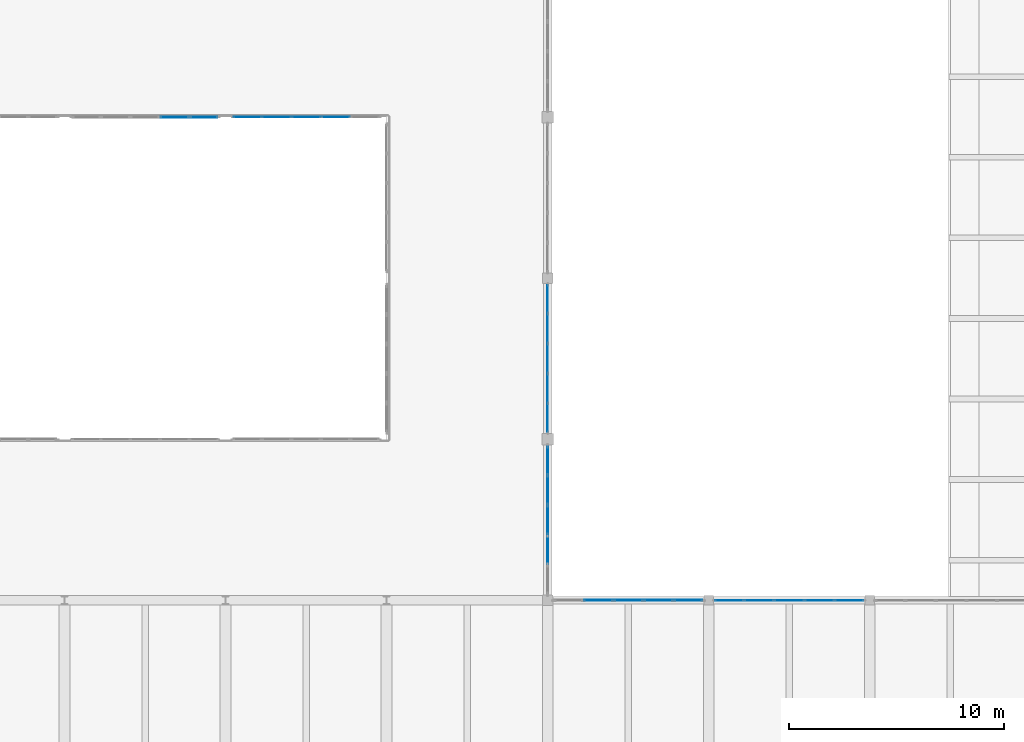
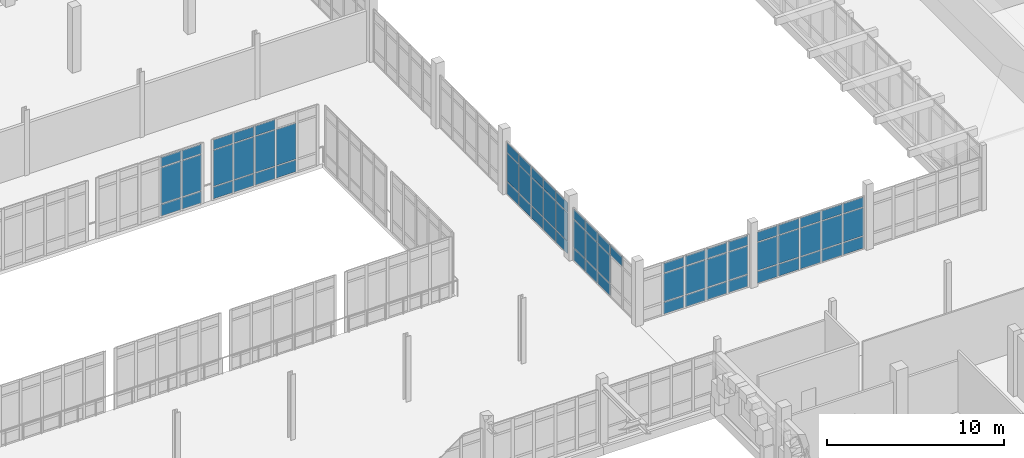
# One storey, part 80 of 128: 69 plates, 6 elements without a shape of their own.
"""IFC4 building model written with IfcOpenShell, lengths in metres."""

from ifc_helpers import new_model, si_unit, direction, frame, origin, origin_2d, place, context, subcontext, project, spatial, rectangle, extrude, material, layer, layer_set, type_object, element, aggregate, save


model = new_model("IFC4")

# Units and contexts
model_context = context("Model", 3, precision=1e-05, world=origin(), true_north=direction((0.0, 1.0)))
body_context = subcontext(model_context, "Body", "Model", "MODEL_VIEW")
ifc_project = project(units=[si_unit("LENGTHUNIT", "METRE"), si_unit("AREAUNIT", "SQUARE_METRE"), si_unit("VOLUMEUNIT", "CUBIC_METRE"), si_unit("PLANEANGLEUNIT", "RADIAN"), si_unit("MASSUNIT", "GRAM", prefix="KILO")], contexts=[model_context])

# Site, building, storey
site_placement = place(None, origin())
site = spatial("IfcSite", under=ifc_project, at=site_placement, CompositionType="ELEMENT")
building_placement = place(site_placement, origin())
building = spatial("IfcBuilding", under=site, at=building_placement, Name="Dalvernix Boulevard General Hospital", CompositionType="ELEMENT")
storey_placement = place(building_placement, frame((0.0, 0.0, 4.800048828125)))
storey = spatial("IfcBuildingStorey", under=building, at=storey_placement, Name="L01", CompositionType="ELEMENT", Elevation=4.800048828125)

# Curtain wall, plates
ifc_material_1 = material(Name="Thermally broken aluminium and solar-control glass curtain wall", Category="aluminium")
ifc_layer_1 = layer(ifc_material_1, 0.159912109375)
ifc_layer_set_1 = layer_set([ifc_layer_1], Name="Thermally broken aluminium and solar-control glass curtain wall (CW-CW-A-69x42)")
curtain_wall_type_1 = type_object("IfcCurtainWallType", Name="CW-CW-A-69x42", PredefinedType="USERDEFINED", material=ifc_layer_set_1)
curtain_wall_1_placement = place(storey_placement, origin())
curtain_wall_1 = element("IfcCurtainWall", 1, at=curtain_wall_1_placement, inside=storey, type_object=curtain_wall_type_1, Name="L01 curtain wall CW-A-69x42 13-7", ObjectType="GLAZED FACADE", PredefinedType="USERDEFINED")
ifc_material_2 = material(Name="Double-glazed solar-control low-emissivity glass", Category="glass")
ifc_layer_2 = layer(ifc_material_2, 0.02392578125)
ifc_layer_set_2 = layer_set([ifc_layer_2], Name="Double-glazed solar-control low-emissivity glass (PLT-CW-P1)")
plate_type_1 = type_object("IfcPlateType", Name="PLT-CW-P1", PredefinedType="CURTAIN_PANEL", material=ifc_layer_set_2)
plate_1_placement = place(storey_placement, frame((102.6259765625, 54.0, 0.059814453125), z_axis=(0.0, 0.0, 1.0), x_axis=(-1.0, 0.0, 0.0)))
plate_1 = element("IfcPlate", 2, at=plate_1_placement, type_object=plate_type_1, Name="CW-A-69x42 panel 2.1", PredefinedType="CURTAIN_PANEL", context=body_context, shape_type="SweptSolid", body=[
    extrude(rectangle(XDim=1.31591796875, YDim=0.02392578125, at=origin_2d()), origin(), (0.0, 0.0, 1.0), 0.81005859375),
])
plate_2_placement = place(storey_placement, frame((102.6259765625, 54.0, 0.93017578125), z_axis=(0.0, 0.0, 1.0), x_axis=(-1.0, 0.0, 0.0)))
plate_2 = element("IfcPlate", 3, at=plate_2_placement, type_object=plate_type_1, Name="CW-A-69x42 panel 2.2", PredefinedType="CURTAIN_PANEL", context=body_context, shape_type="SweptSolid", body=[
    extrude(rectangle(XDim=1.31591796875, YDim=0.02392578125, at=origin_2d()), origin(), (0.0, 0.0, 1.0), 2.469970703125),
])
plate_3_placement = place(storey_placement, frame((101.25, 54.0, 0.059814453125), z_axis=(0.0, 0.0, 1.0), x_axis=(-1.0, 0.0, 0.0)))
plate_3 = element("IfcPlate", 4, at=plate_3_placement, type_object=plate_type_1, Name="CW-A-69x42 panel 3.1", PredefinedType="CURTAIN_PANEL", context=body_context, shape_type="SweptSolid", body=[
    extrude(rectangle(XDim=1.31591796875, YDim=0.02392578125, at=origin_2d()), origin(), (0.0, 0.0, 1.0), 0.81005859375),
])
plate_4_placement = place(storey_placement, frame((101.25, 54.0, 0.93017578125), z_axis=(0.0, 0.0, 1.0), x_axis=(-1.0, 0.0, 0.0)))
plate_4 = element("IfcPlate", 5, at=plate_4_placement, type_object=plate_type_1, Name="CW-A-69x42 panel 3.2", PredefinedType="CURTAIN_PANEL", context=body_context, shape_type="SweptSolid", body=[
    extrude(rectangle(XDim=1.31591796875, YDim=0.02392578125, at=origin_2d()), origin(), (0.0, 0.0, 1.0), 2.469970703125),
])
plate_5_placement = place(storey_placement, frame((101.25, 54.0, 3.4599609375), z_axis=(0.0, 0.0, 1.0), x_axis=(-1.0, 0.0, 0.0)))
plate_5 = element("IfcPlate", 6, at=plate_5_placement, type_object=plate_type_1, Name="CW-A-69x42 panel 3.3", PredefinedType="CURTAIN_PANEL", context=body_context, shape_type="SweptSolid", body=[
    extrude(rectangle(XDim=1.31591796875, YDim=0.02392578125, at=origin_2d()), origin(), (0.0, 0.0, 1.0), 0.659912109375),
])
plate_6_placement = place(storey_placement, frame((99.8740234375, 54.0, 0.059814453125), z_axis=(0.0, 0.0, 1.0), x_axis=(-1.0, 0.0, 0.0)))
plate_6 = element("IfcPlate", 7, at=plate_6_placement, type_object=plate_type_1, Name="CW-A-69x42 panel 4.1", PredefinedType="CURTAIN_PANEL", context=body_context, shape_type="SweptSolid", body=[
    extrude(rectangle(XDim=1.31591796875, YDim=0.02392578125, at=origin_2d()), origin(), (0.0, 0.0, 1.0), 0.81005859375),
])
plate_7_placement = place(storey_placement, frame((99.8740234375, 54.0, 0.93017578125), z_axis=(0.0, 0.0, 1.0), x_axis=(-1.0, 0.0, 0.0)))
plate_7 = element("IfcPlate", 8, at=plate_7_placement, type_object=plate_type_1, Name="CW-A-69x42 panel 4.2", PredefinedType="CURTAIN_PANEL", context=body_context, shape_type="SweptSolid", body=[
    extrude(rectangle(XDim=1.31591796875, YDim=0.02392578125, at=origin_2d()), origin(), (0.0, 0.0, 1.0), 2.469970703125),
])
plate_8_placement = place(storey_placement, frame((99.8740234375, 54.0, 3.4599609375), z_axis=(0.0, 0.0, 1.0), x_axis=(-1.0, 0.0, 0.0)))
plate_8 = element("IfcPlate", 9, at=plate_8_placement, type_object=plate_type_1, Name="CW-A-69x42 panel 4.3", PredefinedType="CURTAIN_PANEL", context=body_context, shape_type="SweptSolid", body=[
    extrude(rectangle(XDim=1.31591796875, YDim=0.02392578125, at=origin_2d()), origin(), (0.0, 0.0, 1.0), 0.659912109375),
])
plate_9_placement = place(storey_placement, frame((98.512939453125, 54.0, 0.059814453125), z_axis=(0.0, 0.0, 1.0), x_axis=(-1.0, 0.0, 0.0)))
plate_9 = element("IfcPlate", 10, at=plate_9_placement, type_object=plate_type_1, Name="CW-A-69x42 panel 5.1", PredefinedType="CURTAIN_PANEL", context=body_context, shape_type="SweptSolid", body=[
    extrude(rectangle(XDim=1.285888671875, YDim=0.02392578125, at=origin_2d()), origin(), (0.0, 0.0, 1.0), 0.81005859375),
])
plate_10_placement = place(storey_placement, frame((98.512939453125, 54.0, 0.93017578125), z_axis=(0.0, 0.0, 1.0), x_axis=(-1.0, 0.0, 0.0)))
plate_10 = element("IfcPlate", 11, at=plate_10_placement, type_object=plate_type_1, Name="CW-A-69x42 panel 5.2", PredefinedType="CURTAIN_PANEL", context=body_context, shape_type="SweptSolid", body=[
    extrude(rectangle(XDim=1.285888671875, YDim=0.02392578125, at=origin_2d()), origin(), (0.0, 0.0, 1.0), 2.469970703125),
])
plate_11_placement = place(storey_placement, frame((98.512939453125, 54.0, 3.4599609375), z_axis=(0.0, 0.0, 1.0), x_axis=(-1.0, 0.0, 0.0)))
plate_11 = element("IfcPlate", 12, at=plate_11_placement, type_object=plate_type_1, Name="CW-A-69x42 panel 5.3", PredefinedType="CURTAIN_PANEL", context=body_context, shape_type="SweptSolid", body=[
    extrude(rectangle(XDim=1.285888671875, YDim=0.02392578125, at=origin_2d()), origin(), (0.0, 0.0, 1.0), 0.659912109375),
])
aggregate(curtain_wall_1, [plate_1, plate_2, plate_3, plate_4, plate_5, plate_6, plate_7, plate_8, plate_9, plate_10, plate_11])

ifc_layer_3 = layer(ifc_material_1, 0.159912109375)
ifc_layer_set_3 = layer_set([ifc_layer_3], Name="Thermally broken aluminium and solar-control glass curtain wall (CW-CW-A-70x36)")
curtain_wall_type_2 = type_object("IfcCurtainWallType", Name="CW-CW-A-70x36", PredefinedType="USERDEFINED", material=ifc_layer_set_3)
curtain_wall_2_placement = place(storey_placement, origin())
curtain_wall_2 = element("IfcCurtainWall", 13, at=curtain_wall_2_placement, inside=storey, type_object=curtain_wall_type_2, Name="L01 curtain wall CW-A-70x36 15-5", ObjectType="GLAZED FACADE", PredefinedType="USERDEFINED")
plate_12_placement = place(storey_placement, frame((112.5, 45.529541015625, 0.059814453125), z_axis=(0.0, 0.0, 1.0), x_axis=(0.0, -1.0, 0.0)))
plate_12 = element("IfcPlate", 14, at=plate_12_placement, type_object=plate_type_1, Name="CW-A-70x36 panel 1.1", PredefinedType="CURTAIN_PANEL", context=body_context, shape_type="SweptSolid", body=[
    extrude(rectangle(XDim=1.301025390625, YDim=0.02392578125, at=origin_2d()), origin(), (0.0, 0.0, 1.0), 0.81005859375),
])
plate_13_placement = place(storey_placement, frame((112.5, 45.529541015625, 0.929931640625), z_axis=(0.0, 0.0, 1.0), x_axis=(0.0, -1.0, 0.0)))
plate_13 = element("IfcPlate", 15, at=plate_13_placement, type_object=plate_type_1, Name="CW-A-70x36 panel 1.2", PredefinedType="CURTAIN_PANEL", context=body_context, shape_type="SweptSolid", body=[
    extrude(rectangle(XDim=1.301025390625, YDim=0.02392578125, at=origin_2d()), origin(), (0.0, 0.0, 1.0), 1.919921875),
])
plate_14_placement = place(storey_placement, frame((112.5, 45.529541015625, 2.91015625), z_axis=(0.0, 0.0, 1.0), x_axis=(0.0, -1.0, 0.0)))
plate_14 = element("IfcPlate", 16, at=plate_14_placement, type_object=plate_type_1, Name="CW-A-70x36 panel 1.3", PredefinedType="CURTAIN_PANEL", context=body_context, shape_type="SweptSolid", body=[
    extrude(rectangle(XDim=1.301025390625, YDim=0.02392578125, at=origin_2d()), origin(), (0.0, 0.0, 1.0), 0.659912109375),
])
plate_15_placement = place(storey_placement, frame((112.5, 44.153564453125, 0.059814453125), z_axis=(0.0, 0.0, 1.0), x_axis=(0.0, -1.0, 0.0)))
plate_15 = element("IfcPlate", 17, at=plate_15_placement, type_object=plate_type_1, Name="CW-A-70x36 panel 2.1", PredefinedType="CURTAIN_PANEL", context=body_context, shape_type="SweptSolid", body=[
    extrude(rectangle(XDim=1.3310546875, YDim=0.02392578125, at=origin_2d()), origin(), (0.0, 0.0, 1.0), 0.81005859375),
])
plate_16_placement = place(storey_placement, frame((112.5, 44.153564453125, 0.929931640625), z_axis=(0.0, 0.0, 1.0), x_axis=(0.0, -1.0, 0.0)))
plate_16 = element("IfcPlate", 18, at=plate_16_placement, type_object=plate_type_1, Name="CW-A-70x36 panel 2.2", PredefinedType="CURTAIN_PANEL", context=body_context, shape_type="SweptSolid", body=[
    extrude(rectangle(XDim=1.3310546875, YDim=0.02392578125, at=origin_2d()), origin(), (0.0, 0.0, 1.0), 1.919921875),
])
plate_17_placement = place(storey_placement, frame((112.5, 44.153564453125, 2.91015625), z_axis=(0.0, 0.0, 1.0), x_axis=(0.0, -1.0, 0.0)))
plate_17 = element("IfcPlate", 19, at=plate_17_placement, type_object=plate_type_1, Name="CW-A-70x36 panel 2.3", PredefinedType="CURTAIN_PANEL", context=body_context, shape_type="SweptSolid", body=[
    extrude(rectangle(XDim=1.3310546875, YDim=0.02392578125, at=origin_2d()), origin(), (0.0, 0.0, 1.0), 0.659912109375),
])
plate_18_placement = place(storey_placement, frame((112.5, 42.762451171875, 0.059814453125), z_axis=(0.0, 0.0, 1.0), x_axis=(0.0, -1.0, 0.0)))
plate_18 = element("IfcPlate", 20, at=plate_18_placement, type_object=plate_type_1, Name="CW-A-70x36 panel 3.1", PredefinedType="CURTAIN_PANEL", context=body_context, shape_type="SweptSolid", body=[
    extrude(rectangle(XDim=1.3310546875, YDim=0.02392578125, at=origin_2d()), origin(), (0.0, 0.0, 1.0), 0.81005859375),
])
plate_19_placement = place(storey_placement, frame((112.5, 42.762451171875, 0.929931640625), z_axis=(0.0, 0.0, 1.0), x_axis=(0.0, -1.0, 0.0)))
plate_19 = element("IfcPlate", 21, at=plate_19_placement, type_object=plate_type_1, Name="CW-A-70x36 panel 3.2", PredefinedType="CURTAIN_PANEL", context=body_context, shape_type="SweptSolid", body=[
    extrude(rectangle(XDim=1.3310546875, YDim=0.02392578125, at=origin_2d()), origin(), (0.0, 0.0, 1.0), 1.919921875),
])
plate_20_placement = place(storey_placement, frame((112.5, 42.762451171875, 2.91015625), z_axis=(0.0, 0.0, 1.0), x_axis=(0.0, -1.0, 0.0)))
plate_20 = element("IfcPlate", 22, at=plate_20_placement, type_object=plate_type_1, Name="CW-A-70x36 panel 3.3", PredefinedType="CURTAIN_PANEL", context=body_context, shape_type="SweptSolid", body=[
    extrude(rectangle(XDim=1.3310546875, YDim=0.02392578125, at=origin_2d()), origin(), (0.0, 0.0, 1.0), 0.659912109375),
])
plate_21_placement = place(storey_placement, frame((112.5, 41.37158203125, 0.059814453125), z_axis=(0.0, 0.0, 1.0), x_axis=(0.0, -1.0, 0.0)))
plate_21 = element("IfcPlate", 23, at=plate_21_placement, type_object=plate_type_1, Name="CW-A-70x36 panel 4.1", PredefinedType="CURTAIN_PANEL", context=body_context, shape_type="SweptSolid", body=[
    extrude(rectangle(XDim=1.3310546875, YDim=0.02392578125, at=origin_2d()), origin(), (0.0, 0.0, 1.0), 0.81005859375),
])
plate_22_placement = place(storey_placement, frame((112.5, 41.37158203125, 0.929931640625), z_axis=(0.0, 0.0, 1.0), x_axis=(0.0, -1.0, 0.0)))
plate_22 = element("IfcPlate", 24, at=plate_22_placement, type_object=plate_type_1, Name="CW-A-70x36 panel 4.2", PredefinedType="CURTAIN_PANEL", context=body_context, shape_type="SweptSolid", body=[
    extrude(rectangle(XDim=1.3310546875, YDim=0.02392578125, at=origin_2d()), origin(), (0.0, 0.0, 1.0), 1.919921875),
])
plate_23_placement = place(storey_placement, frame((112.5, 41.37158203125, 2.91015625), z_axis=(0.0, 0.0, 1.0), x_axis=(0.0, -1.0, 0.0)))
plate_23 = element("IfcPlate", 25, at=plate_23_placement, type_object=plate_type_1, Name="CW-A-70x36 panel 4.3", PredefinedType="CURTAIN_PANEL", context=body_context, shape_type="SweptSolid", body=[
    extrude(rectangle(XDim=1.3310546875, YDim=0.02392578125, at=origin_2d()), origin(), (0.0, 0.0, 1.0), 0.659912109375),
])
plate_24_placement = place(storey_placement, frame((112.5, 39.99560546875, 0.059814453125), z_axis=(0.0, 0.0, 1.0), x_axis=(0.0, -1.0, 0.0)))
plate_24 = element("IfcPlate", 26, at=plate_24_placement, type_object=plate_type_1, Name="CW-A-70x36 panel 5.1", PredefinedType="CURTAIN_PANEL", context=body_context, shape_type="SweptSolid", body=[
    extrude(rectangle(XDim=1.301025390625, YDim=0.02392578125, at=origin_2d()), origin(), (0.0, 0.0, 1.0), 0.81005859375),
])
plate_25_placement = place(storey_placement, frame((112.5, 39.99560546875, 0.929931640625), z_axis=(0.0, 0.0, 1.0), x_axis=(0.0, -1.0, 0.0)))
plate_25 = element("IfcPlate", 27, at=plate_25_placement, type_object=plate_type_1, Name="CW-A-70x36 panel 5.2", PredefinedType="CURTAIN_PANEL", context=body_context, shape_type="SweptSolid", body=[
    extrude(rectangle(XDim=1.301025390625, YDim=0.02392578125, at=origin_2d()), origin(), (0.0, 0.0, 1.0), 1.919921875),
])
plate_26_placement = place(storey_placement, frame((112.5, 39.99560546875, 2.91015625), z_axis=(0.0, 0.0, 1.0), x_axis=(0.0, -1.0, 0.0)))
plate_26 = element("IfcPlate", 28, at=plate_26_placement, type_object=plate_type_1, Name="CW-A-70x36 panel 5.3", PredefinedType="CURTAIN_PANEL", context=body_context, shape_type="SweptSolid", body=[
    extrude(rectangle(XDim=1.301025390625, YDim=0.02392578125, at=origin_2d()), origin(), (0.0, 0.0, 1.0), 0.659912109375),
])
aggregate(curtain_wall_2, [plate_12, plate_13, plate_14, plate_15, plate_16, plate_17, plate_18, plate_19, plate_20, plate_21, plate_22, plate_23, plate_24, plate_25, plate_26])

curtain_wall_3_placement = place(storey_placement, origin())
curtain_wall_3 = element("IfcCurtainWall", 29, at=curtain_wall_3_placement, inside=storey, type_object=curtain_wall_type_2, Name="L01 curtain wall CW-A-70x36 16-4", ObjectType="GLAZED FACADE", PredefinedType="USERDEFINED")
plate_27_placement = place(storey_placement, frame((120.952880859375, 31.5, 0.059814453125), z_axis=(0.0, 0.0, 1.0), x_axis=(1.0, 0.0, 0.0)))
plate_27 = element("IfcPlate", 30, at=plate_27_placement, type_object=plate_type_1, Name="CW-A-70x36 panel 1.1", PredefinedType="CURTAIN_PANEL", context=body_context, shape_type="SweptSolid", body=[
    extrude(rectangle(XDim=1.31591796875, YDim=0.02392578125, at=origin_2d()), origin(), (0.0, 0.0, 1.0), 0.81005859375),
])
plate_28_placement = place(storey_placement, frame((120.952880859375, 31.5, 0.929931640625), z_axis=(0.0, 0.0, 1.0), x_axis=(1.0, 0.0, 0.0)))
plate_28 = element("IfcPlate", 31, at=plate_28_placement, type_object=plate_type_1, Name="CW-A-70x36 panel 1.2", PredefinedType="CURTAIN_PANEL", context=body_context, shape_type="SweptSolid", body=[
    extrude(rectangle(XDim=1.31591796875, YDim=0.02392578125, at=origin_2d()), origin(), (0.0, 0.0, 1.0), 1.919921875),
])
plate_29_placement = place(storey_placement, frame((120.952880859375, 31.5, 2.91015625), z_axis=(0.0, 0.0, 1.0), x_axis=(1.0, 0.0, 0.0)))
plate_29 = element("IfcPlate", 32, at=plate_29_placement, type_object=plate_type_1, Name="CW-A-70x36 panel 1.3", PredefinedType="CURTAIN_PANEL", context=body_context, shape_type="SweptSolid", body=[
    extrude(rectangle(XDim=1.31591796875, YDim=0.02392578125, at=origin_2d()), origin(), (0.0, 0.0, 1.0), 0.659912109375),
])
plate_30_placement = place(storey_placement, frame((122.343994140625, 31.5, 0.059814453125), z_axis=(0.0, 0.0, 1.0), x_axis=(1.0, 0.0, 0.0)))
plate_30 = element("IfcPlate", 33, at=plate_30_placement, type_object=plate_type_1, Name="CW-A-70x36 panel 2.1", PredefinedType="CURTAIN_PANEL", context=body_context, shape_type="SweptSolid", body=[
    extrude(rectangle(XDim=1.345947265625, YDim=0.02392578125, at=origin_2d()), origin(), (0.0, 0.0, 1.0), 0.81005859375),
])
plate_31_placement = place(storey_placement, frame((122.343994140625, 31.5, 0.929931640625), z_axis=(0.0, 0.0, 1.0), x_axis=(1.0, 0.0, 0.0)))
plate_31 = element("IfcPlate", 34, at=plate_31_placement, type_object=plate_type_1, Name="CW-A-70x36 panel 2.2", PredefinedType="CURTAIN_PANEL", context=body_context, shape_type="SweptSolid", body=[
    extrude(rectangle(XDim=1.345947265625, YDim=0.02392578125, at=origin_2d()), origin(), (0.0, 0.0, 1.0), 1.919921875),
])
plate_32_placement = place(storey_placement, frame((122.343994140625, 31.5, 2.91015625), z_axis=(0.0, 0.0, 1.0), x_axis=(1.0, 0.0, 0.0)))
plate_32 = element("IfcPlate", 35, at=plate_32_placement, type_object=plate_type_1, Name="CW-A-70x36 panel 2.3", PredefinedType="CURTAIN_PANEL", context=body_context, shape_type="SweptSolid", body=[
    extrude(rectangle(XDim=1.345947265625, YDim=0.02392578125, at=origin_2d()), origin(), (0.0, 0.0, 1.0), 0.659912109375),
])
plate_33_placement = place(storey_placement, frame((123.75, 31.5, 0.059814453125), z_axis=(0.0, 0.0, 1.0), x_axis=(1.0, 0.0, 0.0)))
plate_33 = element("IfcPlate", 36, at=plate_33_placement, type_object=plate_type_1, Name="CW-A-70x36 panel 3.1", PredefinedType="CURTAIN_PANEL", context=body_context, shape_type="SweptSolid", body=[
    extrude(rectangle(XDim=1.345947265625, YDim=0.02392578125, at=origin_2d()), origin(), (0.0, 0.0, 1.0), 0.81005859375),
])
plate_34_placement = place(storey_placement, frame((123.75, 31.5, 0.929931640625), z_axis=(0.0, 0.0, 1.0), x_axis=(1.0, 0.0, 0.0)))
plate_34 = element("IfcPlate", 37, at=plate_34_placement, type_object=plate_type_1, Name="CW-A-70x36 panel 3.2", PredefinedType="CURTAIN_PANEL", context=body_context, shape_type="SweptSolid", body=[
    extrude(rectangle(XDim=1.345947265625, YDim=0.02392578125, at=origin_2d()), origin(), (0.0, 0.0, 1.0), 1.919921875),
])
plate_35_placement = place(storey_placement, frame((123.75, 31.5, 2.91015625), z_axis=(0.0, 0.0, 1.0), x_axis=(1.0, 0.0, 0.0)))
plate_35 = element("IfcPlate", 38, at=plate_35_placement, type_object=plate_type_1, Name="CW-A-70x36 panel 3.3", PredefinedType="CURTAIN_PANEL", context=body_context, shape_type="SweptSolid", body=[
    extrude(rectangle(XDim=1.345947265625, YDim=0.02392578125, at=origin_2d()), origin(), (0.0, 0.0, 1.0), 0.659912109375),
])
plate_36_placement = place(storey_placement, frame((125.156005859375, 31.5, 0.059814453125), z_axis=(0.0, 0.0, 1.0), x_axis=(1.0, 0.0, 0.0)))
plate_36 = element("IfcPlate", 39, at=plate_36_placement, type_object=plate_type_1, Name="CW-A-70x36 panel 4.1", PredefinedType="CURTAIN_PANEL", context=body_context, shape_type="SweptSolid", body=[
    extrude(rectangle(XDim=1.345947265625, YDim=0.02392578125, at=origin_2d()), origin(), (0.0, 0.0, 1.0), 0.81005859375),
])
plate_37_placement = place(storey_placement, frame((125.156005859375, 31.5, 0.929931640625), z_axis=(0.0, 0.0, 1.0), x_axis=(1.0, 0.0, 0.0)))
plate_37 = element("IfcPlate", 40, at=plate_37_placement, type_object=plate_type_1, Name="CW-A-70x36 panel 4.2", PredefinedType="CURTAIN_PANEL", context=body_context, shape_type="SweptSolid", body=[
    extrude(rectangle(XDim=1.345947265625, YDim=0.02392578125, at=origin_2d()), origin(), (0.0, 0.0, 1.0), 1.919921875),
])
plate_38_placement = place(storey_placement, frame((125.156005859375, 31.5, 2.91015625), z_axis=(0.0, 0.0, 1.0), x_axis=(1.0, 0.0, 0.0)))
plate_38 = element("IfcPlate", 41, at=plate_38_placement, type_object=plate_type_1, Name="CW-A-70x36 panel 4.3", PredefinedType="CURTAIN_PANEL", context=body_context, shape_type="SweptSolid", body=[
    extrude(rectangle(XDim=1.345947265625, YDim=0.02392578125, at=origin_2d()), origin(), (0.0, 0.0, 1.0), 0.659912109375),
])
plate_39_placement = place(storey_placement, frame((126.547119140625, 31.5, 0.059814453125), z_axis=(0.0, 0.0, 1.0), x_axis=(1.0, 0.0, 0.0)))
plate_39 = element("IfcPlate", 42, at=plate_39_placement, type_object=plate_type_1, Name="CW-A-70x36 panel 5.1", PredefinedType="CURTAIN_PANEL", context=body_context, shape_type="SweptSolid", body=[
    extrude(rectangle(XDim=1.31591796875, YDim=0.02392578125, at=origin_2d()), origin(), (0.0, 0.0, 1.0), 0.81005859375),
])
plate_40_placement = place(storey_placement, frame((126.547119140625, 31.5, 0.929931640625), z_axis=(0.0, 0.0, 1.0), x_axis=(1.0, 0.0, 0.0)))
plate_40 = element("IfcPlate", 43, at=plate_40_placement, type_object=plate_type_1, Name="CW-A-70x36 panel 5.2", PredefinedType="CURTAIN_PANEL", context=body_context, shape_type="SweptSolid", body=[
    extrude(rectangle(XDim=1.31591796875, YDim=0.02392578125, at=origin_2d()), origin(), (0.0, 0.0, 1.0), 1.919921875),
])
plate_41_placement = place(storey_placement, frame((126.547119140625, 31.5, 2.91015625), z_axis=(0.0, 0.0, 1.0), x_axis=(1.0, 0.0, 0.0)))
plate_41 = element("IfcPlate", 44, at=plate_41_placement, type_object=plate_type_1, Name="CW-A-70x36 panel 5.3", PredefinedType="CURTAIN_PANEL", context=body_context, shape_type="SweptSolid", body=[
    extrude(rectangle(XDim=1.31591796875, YDim=0.02392578125, at=origin_2d()), origin(), (0.0, 0.0, 1.0), 0.659912109375),
])
aggregate(curtain_wall_3, [plate_27, plate_28, plate_29, plate_30, plate_31, plate_32, plate_33, plate_34, plate_35, plate_36, plate_37, plate_38, plate_39, plate_40, plate_41])

ifc_layer_4 = layer(ifc_material_1, 0.199951171875)
ifc_layer_set_4 = layer_set([ifc_layer_4], Name="Thermally broken aluminium and solar-control glass curtain wall (CW-CW-C-69x42)")
curtain_wall_type_3 = type_object("IfcCurtainWallType", Name="CW-CW-C-69x42", PredefinedType="USERDEFINED", material=ifc_layer_set_4)
curtain_wall_4_placement = place(storey_placement, origin())
curtain_wall_4 = element("IfcCurtainWall", 45, at=curtain_wall_4_placement, inside=storey, type_object=curtain_wall_type_3, Name="L01 curtain wall CW-C-69x42 12-7", ObjectType="GLAZED FACADE", PredefinedType="USERDEFINED")
ifc_layer_5 = layer(ifc_material_2, 0.035888671875)
ifc_layer_set_5 = layer_set([ifc_layer_5], Name="Double-glazed solar-control low-emissivity glass (PLT-CW-P3)")
plate_type_2 = type_object("IfcPlateType", Name="PLT-CW-P3", PredefinedType="CURTAIN_PANEL", material=ifc_layer_set_5)
plate_42_placement = place(storey_placement, frame((96.484619140625, 54.0, 0.070068359375), z_axis=(0.0, 0.0, 1.0), x_axis=(-1.0, 0.0, 0.0)))
plate_42 = element("IfcPlate", 46, at=plate_42_placement, type_object=plate_type_2, Name="CW-C-69x42 panel 1.1", PredefinedType="CURTAIN_PANEL", context=body_context, shape_type="SweptSolid", body=[
    extrude(rectangle(XDim=1.27099609375, YDim=0.035888671875, at=origin_2d()), origin(), (0.0, 0.0, 1.0), 0.794921875),
])
plate_43_placement = place(storey_placement, frame((96.484619140625, 54.0, 0.93505859375), z_axis=(0.0, 0.0, 1.0), x_axis=(-1.0, 0.0, 0.0)))
plate_43 = element("IfcPlate", 47, at=plate_43_placement, type_object=plate_type_2, Name="CW-C-69x42 panel 1.2", PredefinedType="CURTAIN_PANEL", context=body_context, shape_type="SweptSolid", body=[
    extrude(rectangle(XDim=1.27099609375, YDim=0.035888671875, at=origin_2d()), origin(), (0.0, 0.0, 1.0), 2.4599609375),
])
plate_44_placement = place(storey_placement, frame((96.484619140625, 54.0, 3.46484375), z_axis=(0.0, 0.0, 1.0), x_axis=(-1.0, 0.0, 0.0)))
plate_44 = element("IfcPlate", 48, at=plate_44_placement, type_object=plate_type_2, Name="CW-C-69x42 panel 1.3", PredefinedType="CURTAIN_PANEL", context=body_context, shape_type="SweptSolid", body=[
    extrude(rectangle(XDim=1.27099609375, YDim=0.035888671875, at=origin_2d()), origin(), (0.0, 0.0, 1.0), 0.64501953125),
])
plate_45_placement = place(storey_placement, frame((95.1259765625, 54.0, 0.070068359375), z_axis=(0.0, 0.0, 1.0), x_axis=(-1.0, 0.0, 0.0)))
plate_45 = element("IfcPlate", 49, at=plate_45_placement, type_object=plate_type_2, Name="CW-C-69x42 panel 2.1", PredefinedType="CURTAIN_PANEL", context=body_context, shape_type="SweptSolid", body=[
    extrude(rectangle(XDim=1.305908203125, YDim=0.035888671875, at=origin_2d()), origin(), (0.0, 0.0, 1.0), 0.794921875),
])
plate_46_placement = place(storey_placement, frame((95.1259765625, 54.0, 0.93505859375), z_axis=(0.0, 0.0, 1.0), x_axis=(-1.0, 0.0, 0.0)))
plate_46 = element("IfcPlate", 50, at=plate_46_placement, type_object=plate_type_2, Name="CW-C-69x42 panel 2.2", PredefinedType="CURTAIN_PANEL", context=body_context, shape_type="SweptSolid", body=[
    extrude(rectangle(XDim=1.305908203125, YDim=0.035888671875, at=origin_2d()), origin(), (0.0, 0.0, 1.0), 2.4599609375),
])
plate_47_placement = place(storey_placement, frame((95.1259765625, 54.0, 3.46484375), z_axis=(0.0, 0.0, 1.0), x_axis=(-1.0, 0.0, 0.0)))
plate_47 = element("IfcPlate", 51, at=plate_47_placement, type_object=plate_type_2, Name="CW-C-69x42 panel 2.3", PredefinedType="CURTAIN_PANEL", context=body_context, shape_type="SweptSolid", body=[
    extrude(rectangle(XDim=1.305908203125, YDim=0.035888671875, at=origin_2d()), origin(), (0.0, 0.0, 1.0), 0.64501953125),
])
aggregate(curtain_wall_4, [plate_42, plate_43, plate_44, plate_45, plate_46, plate_47])

ifc_layer_6 = layer(ifc_material_1, 0.199951171875)
ifc_layer_set_6 = layer_set([ifc_layer_6], Name="Thermally broken aluminium and solar-control glass curtain wall (CW-CW-C-70x36)")
curtain_wall_type_4 = type_object("IfcCurtainWallType", Name="CW-CW-C-70x36", PredefinedType="USERDEFINED", material=ifc_layer_set_6)
curtain_wall_5_placement = place(storey_placement, origin())
curtain_wall_5 = element("IfcCurtainWall", 52, at=curtain_wall_5_placement, inside=storey, type_object=curtain_wall_type_4, Name="L01 curtain wall CW-C-70x36 15-4", ObjectType="GLAZED FACADE", PredefinedType="USERDEFINED")
plate_48_placement = place(storey_placement, frame((112.5, 38.001953125, 0.070068359375), z_axis=(0.0, 0.0, 1.0), x_axis=(0.0, -1.0, 0.0)))
plate_48 = element("IfcPlate", 53, at=plate_48_placement, type_object=plate_type_2, Name="CW-C-70x36 panel 1.1", PredefinedType="CURTAIN_PANEL", context=body_context, shape_type="SweptSolid", body=[
    extrude(rectangle(XDim=1.285888671875, YDim=0.035888671875, at=origin_2d()), origin(), (0.0, 0.0, 1.0), 0.794921875),
])
plate_49_placement = place(storey_placement, frame((112.5, 38.001953125, 0.93505859375), z_axis=(0.0, 0.0, 1.0), x_axis=(0.0, -1.0, 0.0)))
plate_49 = element("IfcPlate", 54, at=plate_49_placement, type_object=plate_type_2, Name="CW-C-70x36 panel 1.2", PredefinedType="CURTAIN_PANEL", context=body_context, shape_type="SweptSolid", body=[
    extrude(rectangle(XDim=1.285888671875, YDim=0.035888671875, at=origin_2d()), origin(), (0.0, 0.0, 1.0), 1.909912109375),
])
plate_50_placement = place(storey_placement, frame((112.5, 38.001953125, 2.9150390625), z_axis=(0.0, 0.0, 1.0), x_axis=(0.0, -1.0, 0.0)))
plate_50 = element("IfcPlate", 55, at=plate_50_placement, type_object=plate_type_2, Name="CW-C-70x36 panel 1.3", PredefinedType="CURTAIN_PANEL", context=body_context, shape_type="SweptSolid", body=[
    extrude(rectangle(XDim=1.285888671875, YDim=0.035888671875, at=origin_2d()), origin(), (0.0, 0.0, 1.0), 0.64501953125),
])
plate_51_placement = place(storey_placement, frame((112.5, 36.62841796875, 0.070068359375), z_axis=(0.0, 0.0, 1.0), x_axis=(0.0, -1.0, 0.0)))
plate_51 = element("IfcPlate", 56, at=plate_51_placement, type_object=plate_type_2, Name="CW-C-70x36 panel 2.1", PredefinedType="CURTAIN_PANEL", context=body_context, shape_type="SweptSolid", body=[
    extrude(rectangle(XDim=1.321044921875, YDim=0.035888671875, at=origin_2d()), origin(), (0.0, 0.0, 1.0), 0.794921875),
])
plate_52_placement = place(storey_placement, frame((112.5, 36.62841796875, 0.93505859375), z_axis=(0.0, 0.0, 1.0), x_axis=(0.0, -1.0, 0.0)))
plate_52 = element("IfcPlate", 57, at=plate_52_placement, type_object=plate_type_2, Name="CW-C-70x36 panel 2.2", PredefinedType="CURTAIN_PANEL", context=body_context, shape_type="SweptSolid", body=[
    extrude(rectangle(XDim=1.321044921875, YDim=0.035888671875, at=origin_2d()), origin(), (0.0, 0.0, 1.0), 1.909912109375),
])
plate_53_placement = place(storey_placement, frame((112.5, 36.62841796875, 2.9150390625), z_axis=(0.0, 0.0, 1.0), x_axis=(0.0, -1.0, 0.0)))
plate_53 = element("IfcPlate", 58, at=plate_53_placement, type_object=plate_type_2, Name="CW-C-70x36 panel 2.3", PredefinedType="CURTAIN_PANEL", context=body_context, shape_type="SweptSolid", body=[
    extrude(rectangle(XDim=1.321044921875, YDim=0.035888671875, at=origin_2d()), origin(), (0.0, 0.0, 1.0), 0.64501953125),
])
plate_54_placement = place(storey_placement, frame((112.5, 35.237548828125, 0.070068359375), z_axis=(0.0, 0.0, 1.0), x_axis=(0.0, -1.0, 0.0)))
plate_54 = element("IfcPlate", 59, at=plate_54_placement, type_object=plate_type_2, Name="CW-C-70x36 panel 3.1", PredefinedType="CURTAIN_PANEL", context=body_context, shape_type="SweptSolid", body=[
    extrude(rectangle(XDim=1.321044921875, YDim=0.035888671875, at=origin_2d()), origin(), (0.0, 0.0, 1.0), 0.794921875),
])
plate_55_placement = place(storey_placement, frame((112.5, 35.237548828125, 0.93505859375), z_axis=(0.0, 0.0, 1.0), x_axis=(0.0, -1.0, 0.0)))
plate_55 = element("IfcPlate", 60, at=plate_55_placement, type_object=plate_type_2, Name="CW-C-70x36 panel 3.2", PredefinedType="CURTAIN_PANEL", context=body_context, shape_type="SweptSolid", body=[
    extrude(rectangle(XDim=1.321044921875, YDim=0.035888671875, at=origin_2d()), origin(), (0.0, 0.0, 1.0), 1.909912109375),
])
plate_56_placement = place(storey_placement, frame((112.5, 35.237548828125, 2.9150390625), z_axis=(0.0, 0.0, 1.0), x_axis=(0.0, -1.0, 0.0)))
plate_56 = element("IfcPlate", 61, at=plate_56_placement, type_object=plate_type_2, Name="CW-C-70x36 panel 3.3", PredefinedType="CURTAIN_PANEL", context=body_context, shape_type="SweptSolid", body=[
    extrude(rectangle(XDim=1.321044921875, YDim=0.035888671875, at=origin_2d()), origin(), (0.0, 0.0, 1.0), 0.64501953125),
])
plate_57_placement = place(storey_placement, frame((112.5, 33.846435546875, 2.9150390625), z_axis=(0.0, 0.0, 1.0), x_axis=(0.0, -1.0, 0.0)))
plate_57 = element("IfcPlate", 62, at=plate_57_placement, type_object=plate_type_2, Name="CW-C-70x36 panel 4.3", PredefinedType="CURTAIN_PANEL", context=body_context, shape_type="SweptSolid", body=[
    extrude(rectangle(XDim=1.321044921875, YDim=0.035888671875, at=origin_2d()), origin(), (0.0, 0.0, 1.0), 0.64501953125),
])
aggregate(curtain_wall_5, [plate_48, plate_49, plate_50, plate_51, plate_52, plate_53, plate_54, plate_55, plate_56, plate_57])

curtain_wall_6_placement = place(storey_placement, origin())
curtain_wall_6 = element("IfcCurtainWall", 63, at=curtain_wall_6_placement, inside=storey, type_object=curtain_wall_type_4, Name="L01 curtain wall CW-C-70x36 15-4", ObjectType="GLAZED FACADE", PredefinedType="USERDEFINED")
plate_58_placement = place(storey_placement, frame((114.861572265625, 31.5, 0.070068359375), z_axis=(0.0, 0.0, 1.0), x_axis=(1.0, 0.0, 0.0)))
plate_58 = element("IfcPlate", 64, at=plate_58_placement, type_object=plate_type_2, Name="CW-C-70x36 panel 2.1", PredefinedType="CURTAIN_PANEL", context=body_context, shape_type="SweptSolid", body=[
    extrude(rectangle(XDim=1.3310546875, YDim=0.035888671875, at=origin_2d()), origin(), (0.0, 0.0, 1.0), 0.794921875),
])
plate_59_placement = place(storey_placement, frame((114.861572265625, 31.5, 0.93505859375), z_axis=(0.0, 0.0, 1.0), x_axis=(1.0, 0.0, 0.0)))
plate_59 = element("IfcPlate", 65, at=plate_59_placement, type_object=plate_type_2, Name="CW-C-70x36 panel 2.2", PredefinedType="CURTAIN_PANEL", context=body_context, shape_type="SweptSolid", body=[
    extrude(rectangle(XDim=1.3310546875, YDim=0.035888671875, at=origin_2d()), origin(), (0.0, 0.0, 1.0), 1.909912109375),
])
plate_60_placement = place(storey_placement, frame((114.861572265625, 31.5, 2.9150390625), z_axis=(0.0, 0.0, 1.0), x_axis=(1.0, 0.0, 0.0)))
plate_60 = element("IfcPlate", 66, at=plate_60_placement, type_object=plate_type_2, Name="CW-C-70x36 panel 2.3", PredefinedType="CURTAIN_PANEL", context=body_context, shape_type="SweptSolid", body=[
    extrude(rectangle(XDim=1.3310546875, YDim=0.035888671875, at=origin_2d()), origin(), (0.0, 0.0, 1.0), 0.64501953125),
])
plate_61_placement = place(storey_placement, frame((116.262451171875, 31.5, 0.070068359375), z_axis=(0.0, 0.0, 1.0), x_axis=(1.0, 0.0, 0.0)))
plate_61 = element("IfcPlate", 67, at=plate_61_placement, type_object=plate_type_2, Name="CW-C-70x36 panel 3.1", PredefinedType="CURTAIN_PANEL", context=body_context, shape_type="SweptSolid", body=[
    extrude(rectangle(XDim=1.3310546875, YDim=0.035888671875, at=origin_2d()), origin(), (0.0, 0.0, 1.0), 0.794921875),
])
plate_62_placement = place(storey_placement, frame((116.262451171875, 31.5, 0.93505859375), z_axis=(0.0, 0.0, 1.0), x_axis=(1.0, 0.0, 0.0)))
plate_62 = element("IfcPlate", 68, at=plate_62_placement, type_object=plate_type_2, Name="CW-C-70x36 panel 3.2", PredefinedType="CURTAIN_PANEL", context=body_context, shape_type="SweptSolid", body=[
    extrude(rectangle(XDim=1.3310546875, YDim=0.035888671875, at=origin_2d()), origin(), (0.0, 0.0, 1.0), 1.909912109375),
])
plate_63_placement = place(storey_placement, frame((116.262451171875, 31.5, 2.9150390625), z_axis=(0.0, 0.0, 1.0), x_axis=(1.0, 0.0, 0.0)))
plate_63 = element("IfcPlate", 69, at=plate_63_placement, type_object=plate_type_2, Name="CW-C-70x36 panel 3.3", PredefinedType="CURTAIN_PANEL", context=body_context, shape_type="SweptSolid", body=[
    extrude(rectangle(XDim=1.3310546875, YDim=0.035888671875, at=origin_2d()), origin(), (0.0, 0.0, 1.0), 0.64501953125),
])
plate_64_placement = place(storey_placement, frame((117.66357421875, 31.5, 0.070068359375), z_axis=(0.0, 0.0, 1.0), x_axis=(1.0, 0.0, 0.0)))
plate_64 = element("IfcPlate", 70, at=plate_64_placement, type_object=plate_type_2, Name="CW-C-70x36 panel 4.1", PredefinedType="CURTAIN_PANEL", context=body_context, shape_type="SweptSolid", body=[
    extrude(rectangle(XDim=1.3310546875, YDim=0.035888671875, at=origin_2d()), origin(), (0.0, 0.0, 1.0), 0.794921875),
])
plate_65_placement = place(storey_placement, frame((117.66357421875, 31.5, 0.93505859375), z_axis=(0.0, 0.0, 1.0), x_axis=(1.0, 0.0, 0.0)))
plate_65 = element("IfcPlate", 71, at=plate_65_placement, type_object=plate_type_2, Name="CW-C-70x36 panel 4.2", PredefinedType="CURTAIN_PANEL", context=body_context, shape_type="SweptSolid", body=[
    extrude(rectangle(XDim=1.3310546875, YDim=0.035888671875, at=origin_2d()), origin(), (0.0, 0.0, 1.0), 1.909912109375),
])
plate_66_placement = place(storey_placement, frame((117.66357421875, 31.5, 2.9150390625), z_axis=(0.0, 0.0, 1.0), x_axis=(1.0, 0.0, 0.0)))
plate_66 = element("IfcPlate", 72, at=plate_66_placement, type_object=plate_type_2, Name="CW-C-70x36 panel 4.3", PredefinedType="CURTAIN_PANEL", context=body_context, shape_type="SweptSolid", body=[
    extrude(rectangle(XDim=1.3310546875, YDim=0.035888671875, at=origin_2d()), origin(), (0.0, 0.0, 1.0), 0.64501953125),
])
plate_67_placement = place(storey_placement, frame((119.047119140625, 31.5, 0.070068359375), z_axis=(0.0, 0.0, 1.0), x_axis=(1.0, 0.0, 0.0)))
plate_67 = element("IfcPlate", 73, at=plate_67_placement, type_object=plate_type_2, Name="CW-C-70x36 panel 5.1", PredefinedType="CURTAIN_PANEL", context=body_context, shape_type="SweptSolid", body=[
    extrude(rectangle(XDim=1.2958984375, YDim=0.035888671875, at=origin_2d()), origin(), (0.0, 0.0, 1.0), 0.794921875),
])
plate_68_placement = place(storey_placement, frame((119.047119140625, 31.5, 0.93505859375), z_axis=(0.0, 0.0, 1.0), x_axis=(1.0, 0.0, 0.0)))
plate_68 = element("IfcPlate", 74, at=plate_68_placement, type_object=plate_type_2, Name="CW-C-70x36 panel 5.2", PredefinedType="CURTAIN_PANEL", context=body_context, shape_type="SweptSolid", body=[
    extrude(rectangle(XDim=1.2958984375, YDim=0.035888671875, at=origin_2d()), origin(), (0.0, 0.0, 1.0), 1.909912109375),
])
plate_69_placement = place(storey_placement, frame((119.047119140625, 31.5, 2.9150390625), z_axis=(0.0, 0.0, 1.0), x_axis=(1.0, 0.0, 0.0)))
plate_69 = element("IfcPlate", 75, at=plate_69_placement, type_object=plate_type_2, Name="CW-C-70x36 panel 5.3", PredefinedType="CURTAIN_PANEL", context=body_context, shape_type="SweptSolid", body=[
    extrude(rectangle(XDim=1.2958984375, YDim=0.035888671875, at=origin_2d()), origin(), (0.0, 0.0, 1.0), 0.64501953125),
])
aggregate(curtain_wall_6, [plate_58, plate_59, plate_60, plate_61, plate_62, plate_63, plate_64, plate_65, plate_66, plate_67, plate_68, plate_69])

save(model, "model.ifc")
